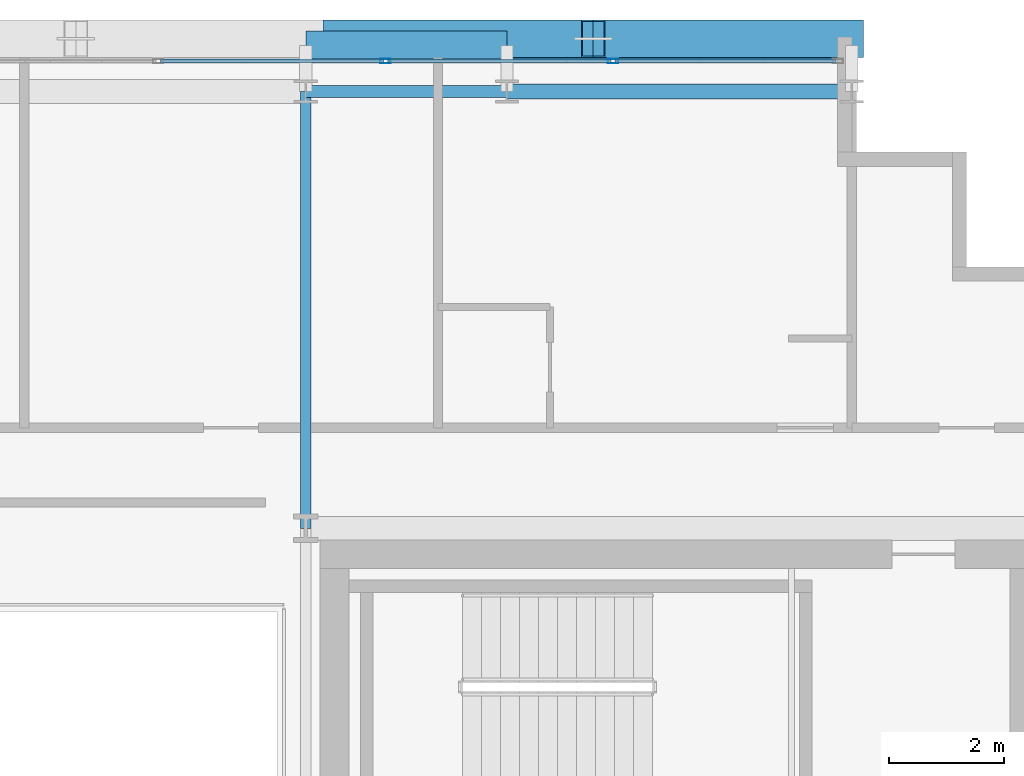
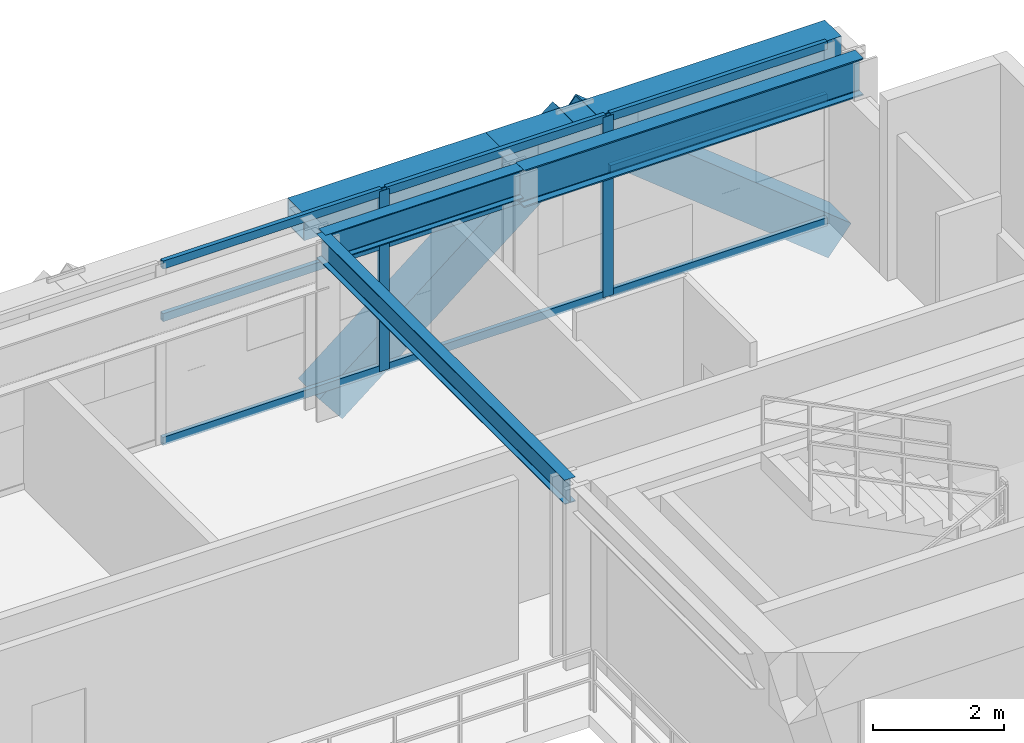
# One storey, part 18 of 30: 13 members, 5 beams, 1 element without a shape of its own.
"""IFC4 building model written with IfcOpenShell, lengths in metres."""

from ifc_helpers import new_model, si_unit, direction, frame, origin, origin_2d, place, context, subcontext, project, spatial, hollow_rectangle, i_section, extrude, source, transform, mapped, material, layer, layer_set, material_profile, profile_set, type_object, element, aggregate, save


model = new_model("IFC4")

# Units and contexts
model_context = context("Model", 3, precision=1e-05, world=origin(), true_north=direction((0.0, 1.0)))
body_context = subcontext(model_context, "Body", "Model", "MODEL_VIEW")
ifc_project = project(units=[si_unit("LENGTHUNIT", "METRE"), si_unit("AREAUNIT", "SQUARE_METRE"), si_unit("VOLUMEUNIT", "CUBIC_METRE"), si_unit("PLANEANGLEUNIT", "RADIAN"), si_unit("MASSUNIT", "GRAM", prefix="KILO")], contexts=[model_context])

# Site, building, storey
site_placement = place(None, origin())
site = spatial("IfcSite", under=ifc_project, at=site_placement, CompositionType="ELEMENT")
building_placement = place(site_placement, origin())
building = spatial("IfcBuilding", under=site, at=building_placement, Name="Ocotamira Hotel", CompositionType="ELEMENT")
storey_placement = place(building_placement, frame((0.0, 0.0, 195.60009765625)))
storey = spatial("IfcBuildingStorey", under=building, at=storey_placement, Name="L49", CompositionType="ELEMENT", Elevation=195.60009765625)

# Beams
ifc_material_1 = material(Name="Steel ASTM A992 Grade 50", Category="steel")
ifc_material_profile_1 = material_profile(ifc_material_1, i_section(OverallWidth=0.256103515625, OverallDepth=0.693115234375, WebThickness=0.014404296875, FlangeThickness=0.023681640625, FilletRadius=0.01611328125, at=origin_2d()), Name="W27X114")
ifc_profile_set_1 = profile_set([ifc_material_profile_1], Name="Steel ASTM A992 Grade 50")
beam_type_1 = type_object("IfcBeamType", Name="BM-PRIM-W27X114", PredefinedType="BEAM", material=ifc_profile_set_1)
shared_shape_1 = source(origin(), body_context, "Body", "SweptSolid", [
    extrude(i_section(OverallWidth=0.256103515625, OverallDepth=0.693115234375, WebThickness=0.014404296875, FlangeThickness=0.023681640625, FilletRadius=0.01611328125, at=origin_2d()), origin(), (0.0, 0.0, 1.0), 6.0),
])
beam_1_placement = place(storey_placement, frame((44.0, 45.050048828125, 3.0234375), z_axis=(1.0, 0.0, 0.0), x_axis=(0.0, 1.0, 0.0)))
element("IfcBeam", 1, at=beam_1_placement, inside=storey, type_object=beam_type_1, Name="L49 Girder Y45.05 X44-50", PredefinedType="BEAM", context=body_context, shape_type="MappedRepresentation", body=[
    mapped(shared_shape_1, transform((0.0, 0.0, 0.0), scale=1.0)),
])
ifc_material_profile_2 = material_profile(ifc_material_1, i_section(OverallWidth=0.2099609375, OverallDepth=0.537109375, WebThickness=0.010986328125, FlangeThickness=0.017333984375, FilletRadius=0.012939453125, at=origin_2d()), Name="W21X68")
ifc_profile_set_2 = profile_set([ifc_material_profile_2], Name="Steel ASTM A992 Grade 50")
beam_type_2 = type_object("IfcBeamType", Name="BM-SEC-W21X68", PredefinedType="JOIST", material=ifc_profile_set_2)
shared_shape_2 = source(origin(), body_context, "Body", "SweptSolid", [
    extrude(i_section(OverallWidth=0.2099609375, OverallDepth=0.537109375, WebThickness=0.010986328125, FlangeThickness=0.017333984375, FilletRadius=0.012939453125, at=origin_2d()), origin(), (0.0, 0.0, 1.0), 3.5),
])
beam_2_placement = place(storey_placement, frame((40.5, 45.050048828125, 3.101318359375), z_axis=(1.0, 0.0, 0.0), x_axis=(0.0, 1.0, 0.0)))
element("IfcBeam", 2, at=beam_2_placement, inside=storey, type_object=beam_type_2, Name="L49 Girder Y45.05 X40.5-44", PredefinedType="JOIST", context=body_context, shape_type="MappedRepresentation", body=[
    mapped(shared_shape_2, transform((0.0, 0.0, 0.0), scale=1.0)),
])
ifc_material_2 = material(Name="Steel ASTM A500 Grade C", Category="steel")
ifc_material_profile_3 = material_profile(ifc_material_2, hollow_rectangle(XDim=0.5, YDim=0.5, WallThickness=0.02001953125, at=origin_2d()), Name="HSS500X500X20")
ifc_profile_set_3 = profile_set([ifc_material_profile_3], Name="Steel ASTM A500 Grade C")
beam_type_3 = type_object("IfcBeamType", Name="BM-SPAN-HSS500", PredefinedType="USERDEFINED", material=ifc_profile_set_3)
shared_shape_3 = source(origin(), body_context, "Body", "SweptSolid", [
    extrude(hollow_rectangle(XDim=0.5, YDim=0.5, WallThickness=0.02001953125, at=origin_2d()), origin(), (0.0, 0.0, 1.0), 6.0),
])
beam_3_placement = place(storey_placement, frame((44.0, 45.85009765625, 3.119873046875), z_axis=(1.0, 0.0, 0.0), x_axis=(0.0, 1.0, 0.0)))
element("IfcBeam", 3, at=beam_3_placement, inside=storey, type_object=beam_type_3, Name="L49 Edge Spandrel N X44-50", ObjectType="SPANDREL", PredefinedType="USERDEFINED", context=body_context, shape_type="MappedRepresentation", body=[
    mapped(shared_shape_3, transform((0.0, 0.0, 0.0), scale=1.0)),
])
shared_shape_4 = source(origin(), body_context, "Body", "SweptSolid", [
    extrude(hollow_rectangle(XDim=0.5, YDim=0.5, WallThickness=0.02001953125, at=origin_2d()), origin(), (0.0, 0.0, 1.0), 3.5),
])
beam_4_placement = place(storey_placement, frame((40.5, 45.85009765625, 3.119873046875), z_axis=(1.0, 0.0, 0.0), x_axis=(0.0, 1.0, 0.0)))
element("IfcBeam", 4, at=beam_4_placement, inside=storey, type_object=beam_type_3, Name="L49 Edge Spandrel N X40.5-44", ObjectType="SPANDREL", PredefinedType="USERDEFINED", context=body_context, shape_type="MappedRepresentation", body=[
    mapped(shared_shape_4, transform((0.0, 0.0, 0.0), scale=1.0)),
])
ifc_material_profile_4 = material_profile(ifc_material_1, i_section(OverallWidth=0.18994140625, OverallDepth=0.45703125, WebThickness=0.009033203125, FlangeThickness=0.014404296875, FilletRadius=0.010009765625, at=origin_2d()), Name="W18X50")
ifc_profile_set_4 = profile_set([ifc_material_profile_4], Name="Steel ASTM A992 Grade 50")
beam_type_4 = type_object("IfcBeamType", Name="BM-SEC-W18X50", PredefinedType="JOIST", material=ifc_profile_set_4)
shared_shape_5 = source(origin(), body_context, "Body", "SweptSolid", [
    extrude(i_section(OverallWidth=0.18994140625, OverallDepth=0.45703125, WebThickness=0.009033203125, FlangeThickness=0.014404296875, FilletRadius=0.010009765625, at=origin_2d()), origin(), (0.0, 0.0, 1.0), 7.60009765625),
])
beam_5_placement = place(storey_placement, frame((40.5, 37.449951171875, 3.141357421875), z_axis=(0.0, 1.0, 0.0), x_axis=(-1.0, 0.0, 0.0)))
element("IfcBeam", 5, at=beam_5_placement, inside=storey, type_object=beam_type_4, Name="L49 Beam X40.5 Y37.45-45.05", PredefinedType="JOIST", context=body_context, shape_type="MappedRepresentation", body=[
    mapped(shared_shape_5, transform((0.0, 0.0, 0.0), scale=1.0)),
])

# Members
ifc_material_3 = material(Name="Pale-metal coated steel ASTM A913 Grade 65", Category="steel")
ifc_material_profile_5 = material_profile(ifc_material_3, hollow_rectangle(XDim=0.64990234375, YDim=0.64990234375, WallThickness=0.02197265625, at=origin_2d()), Name="BOX650X650X22")
ifc_profile_set_5 = profile_set([ifc_material_profile_5], Name="Pale-metal coated steel ASTM A913 Grade 65")
member_type_1 = type_object("IfcMemberType", Name="MEM-EXO-BOX650", PredefinedType="BRACE", material=ifc_profile_set_5)
shared_shape_6 = source(origin(), body_context, "Body", "SweptSolid", [
    extrude(hollow_rectangle(XDim=0.64990234375, YDim=0.64990234375, WallThickness=0.02197265625, at=origin_2d()), origin(), (0.0, 0.0, 1.0), 5.7626953125),
])
for number, where, z_axis, x_axis, name in (
    (6, (41.0, 45.969970703125, -0.47998046875), (0.780881208953, 0.0, 0.624679547852), (0.0, 1.0, 0.0), "L49 Exoskeleton Diagrid N3.1"),
    (7, (50.0, 45.969970703125, -0.47998046875), (-0.780881208953, 0.0, 0.624679547852), (0.0, -1.0, 0.0), "L49 Exoskeleton Diagrid N3.2"),
):
    element("IfcMember", number, at=place(storey_placement, frame(where, z_axis=z_axis, x_axis=x_axis)), inside=storey, type_object=member_type_1, Name=name, PredefinedType="BRACE", context=body_context, shape_type="MappedRepresentation", body=[
        mapped(shared_shape_6, transform((0.0, 0.0, 0.0), scale=1.0)),
    ])

# Curtain wall, members
ifc_material_4 = material(Name="Anodised pale-metal aluminium and solar glass", Category="aluminium")
ifc_layer = layer(ifc_material_4, 0.199951171875)
ifc_layer_set = layer_set([ifc_layer], Name="Anodised pale-metal aluminium and solar glass")
curtain_wall_type = type_object("IfcCurtainWallType", Name="CW-SYS4-Z3", PredefinedType="NOTDEFINED", material=ifc_layer_set)
curtain_wall_placement = place(storey_placement, origin())
curtain_wall = element("IfcCurtainWall", 8, at=curtain_wall_placement, inside=storey, type_object=curtain_wall_type, Name="L49 Curtain Wall CW-4 CW-L49-N", PredefinedType="NOTDEFINED")
ifc_material_5 = material(Name="Anodised pale-metal aluminium 6063-T6", Category="aluminium")
ifc_material_profile_6 = material_profile(ifc_material_5, hollow_rectangle(XDim=0.074951171875, YDim=0.14990234375, WallThickness=0.006103515625, at=origin_2d()), Name="HSS150X75X6")
ifc_profile_set_6 = profile_set([ifc_material_profile_6], Name="Anodised pale-metal aluminium 6063-T6")
member_type_2 = type_object("IfcMemberType", Name="CWT-150X75", PredefinedType="USERDEFINED", material=ifc_profile_set_6)
shared_shape_7 = source(origin(), body_context, "Body", "SweptSolid", [
    extrude(hollow_rectangle(XDim=0.074951171875, YDim=0.14990234375, WallThickness=0.006103515625, at=origin_2d()), origin(), (0.0, 0.0, 1.0), 3.83544921875),
])
member_1_placement = place(storey_placement, frame((45.884521484375, 45.580078125, 0.037353515625), z_axis=(1.0, 0.0, 0.0), x_axis=(0.0, 1.0, 0.0)))
member_1 = element("IfcMember", 9, at=member_1_placement, type_object=member_type_2, Name="CW-4 transom 9.1", ObjectType="TRANSOM", PredefinedType="USERDEFINED", context=body_context, shape_type="MappedRepresentation", body=[
    mapped(shared_shape_7, transform((0.0, 0.0, 0.0), scale=1.0)),
])
member_2_placement = place(storey_placement, frame((45.884521484375, 45.580078125, 2.349853515625), z_axis=(1.0, 0.0, 0.0), x_axis=(0.0, 1.0, 0.0)))
member_2 = element("IfcMember", 10, at=member_2_placement, type_object=member_type_2, Name="CW-4 transom 9.2", ObjectType="TRANSOM", PredefinedType="USERDEFINED", context=body_context, shape_type="MappedRepresentation", body=[
    mapped(shared_shape_7, transform((0.0, 0.0, 0.0), scale=1.0)),
])
member_3_placement = place(storey_placement, frame((45.884521484375, 45.580078125, 3.33251953125), z_axis=(1.0, 0.0, 0.0), x_axis=(0.0, 1.0, 0.0)))
member_3 = element("IfcMember", 11, at=member_3_placement, type_object=member_type_2, Name="CW-4 transom 9.3", ObjectType="TRANSOM", PredefinedType="USERDEFINED", context=body_context, shape_type="MappedRepresentation", body=[
    mapped(shared_shape_7, transform((0.0, 0.0, 0.0), scale=1.0)),
])
shared_shape_8 = source(origin(), body_context, "Body", "SweptSolid", [
    extrude(hollow_rectangle(XDim=0.074951171875, YDim=0.14990234375, WallThickness=0.006103515625, at=origin_2d()), origin(), (0.0, 0.0, 1.0), 3.87548828125),
])
member_4_placement = place(storey_placement, frame((37.973388671875, 45.580078125, 0.037353515625), z_axis=(1.0, 0.0, 0.0), x_axis=(0.0, 1.0, 0.0)))
member_4 = element("IfcMember", 12, at=member_4_placement, type_object=member_type_2, Name="CW-4 transom 7.1", ObjectType="TRANSOM", PredefinedType="USERDEFINED", context=body_context, shape_type="MappedRepresentation", body=[
    mapped(shared_shape_8, transform((0.0, 0.0, 0.0), scale=1.0)),
])
member_5_placement = place(storey_placement, frame((37.973388671875, 45.580078125, 2.349853515625), z_axis=(1.0, 0.0, 0.0), x_axis=(0.0, 1.0, 0.0)))
member_5 = element("IfcMember", 13, at=member_5_placement, type_object=member_type_2, Name="CW-4 transom 7.2", ObjectType="TRANSOM", PredefinedType="USERDEFINED", context=body_context, shape_type="MappedRepresentation", body=[
    mapped(shared_shape_8, transform((0.0, 0.0, 0.0), scale=1.0)),
])
member_6_placement = place(storey_placement, frame((37.973388671875, 45.580078125, 3.33251953125), z_axis=(1.0, 0.0, 0.0), x_axis=(0.0, 1.0, 0.0)))
member_6 = element("IfcMember", 14, at=member_6_placement, type_object=member_type_2, Name="CW-4 transom 7.3", ObjectType="TRANSOM", PredefinedType="USERDEFINED", context=body_context, shape_type="MappedRepresentation", body=[
    mapped(shared_shape_8, transform((0.0, 0.0, 0.0), scale=1.0)),
])
member_7_placement = place(storey_placement, frame((41.928955078125, 45.580078125, 0.037353515625), z_axis=(1.0, 0.0, 0.0), x_axis=(0.0, 1.0, 0.0)))
member_7 = element("IfcMember", 15, at=member_7_placement, type_object=member_type_2, Name="CW-4 transom 8.1", ObjectType="TRANSOM", PredefinedType="USERDEFINED", context=body_context, shape_type="MappedRepresentation", body=[
    mapped(shared_shape_8, transform((0.0, 0.0, 0.0), scale=1.0)),
])
member_8_placement = place(storey_placement, frame((41.928955078125, 45.580078125, 2.349853515625), z_axis=(1.0, 0.0, 0.0), x_axis=(0.0, 1.0, 0.0)))
member_8 = element("IfcMember", 16, at=member_8_placement, type_object=member_type_2, Name="CW-4 transom 8.2", ObjectType="TRANSOM", PredefinedType="USERDEFINED", context=body_context, shape_type="MappedRepresentation", body=[
    mapped(shared_shape_8, transform((0.0, 0.0, 0.0), scale=1.0)),
])
member_9_placement = place(storey_placement, frame((41.928955078125, 45.580078125, 3.33251953125), z_axis=(1.0, 0.0, 0.0), x_axis=(0.0, 1.0, 0.0)))
member_9 = element("IfcMember", 17, at=member_9_placement, type_object=member_type_2, Name="CW-4 transom 8.3", ObjectType="TRANSOM", PredefinedType="USERDEFINED", context=body_context, shape_type="MappedRepresentation", body=[
    mapped(shared_shape_8, transform((0.0, 0.0, 0.0), scale=1.0)),
])
ifc_material_profile_7 = material_profile(ifc_material_5, hollow_rectangle(XDim=0.080078125, YDim=0.179931640625, WallThickness=0.006103515625, at=origin_2d()), Name="HSS180X80X6")
ifc_profile_set_7 = profile_set([ifc_material_profile_7], Name="Anodised pale-metal aluminium 6063-T6")
member_type_3 = type_object("IfcMemberType", Name="CWM-180X75", PredefinedType="MULLION", material=ifc_profile_set_7)
shared_shape_9 = source(origin(), body_context, "Body", "SweptSolid", [
    extrude(hollow_rectangle(XDim=0.080078125, YDim=0.179931640625, WallThickness=0.006103515625, at=origin_2d()), origin(), (0.0, 0.0, 1.0), 3.369873046875),
])
member_10_placement = place(storey_placement, frame((41.888916015625, 45.580078125, 0.0), z_axis=(0.0, 0.0, 1.0), x_axis=(0.0, 1.0, 0.0)))
member_10 = element("IfcMember", 18, at=member_10_placement, type_object=member_type_3, Name="CW-4 mullion 8", PredefinedType="MULLION", context=body_context, shape_type="MappedRepresentation", body=[
    mapped(shared_shape_9, transform((0.0, 0.0, 0.0), scale=1.0)),
])
member_11_placement = place(storey_placement, frame((45.844482421875, 45.580078125, 0.0), z_axis=(0.0, 0.0, 1.0), x_axis=(0.0, 1.0, 0.0)))
member_11 = element("IfcMember", 19, at=member_11_placement, type_object=member_type_3, Name="CW-4 mullion 9", PredefinedType="MULLION", context=body_context, shape_type="MappedRepresentation", body=[
    mapped(shared_shape_9, transform((0.0, 0.0, 0.0), scale=1.0)),
])
aggregate(curtain_wall, [member_10, member_11, member_4, member_5, member_6, member_7, member_8, member_9, member_1, member_2, member_3])

save(model, "model.ifc")
